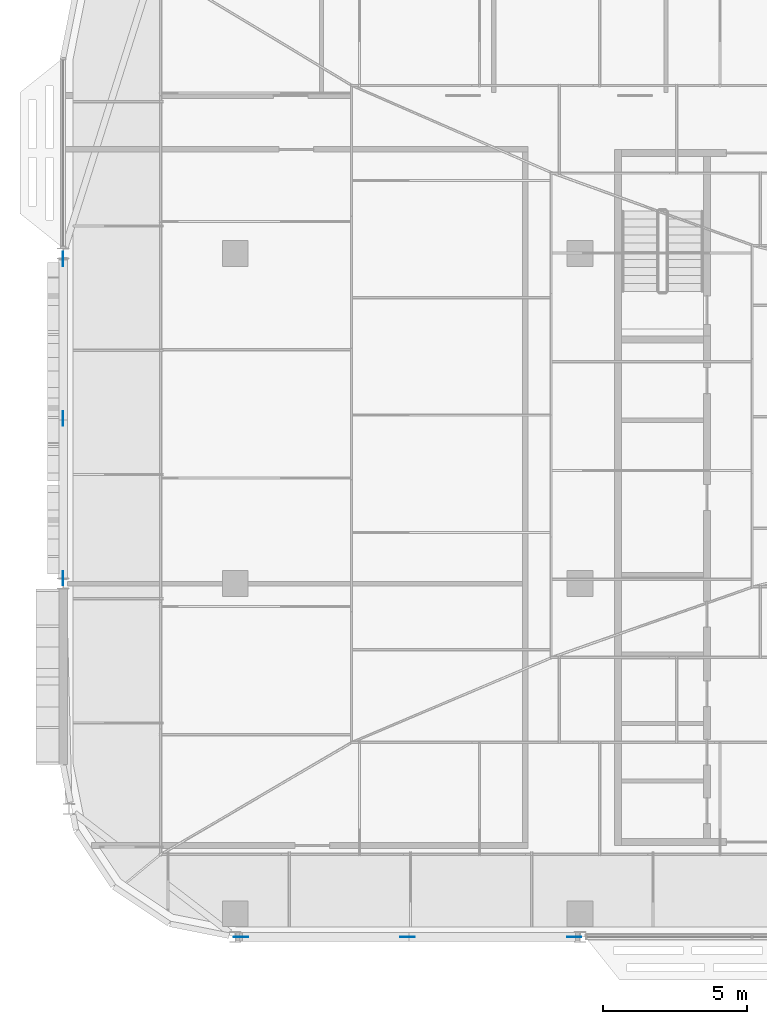
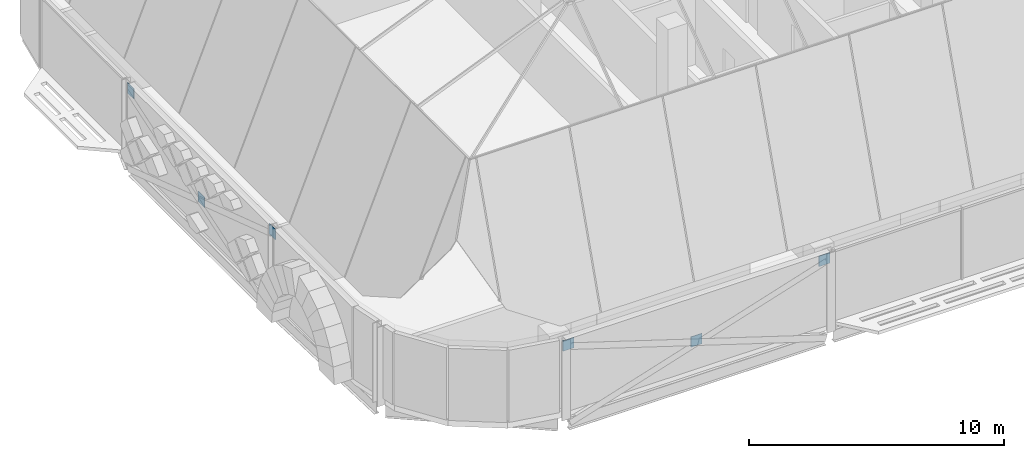
# One storey, part 30 of 39: 6 discrete accessories.
"""IFC4 building model written with IfcOpenShell, lengths in metres."""

from ifc_helpers import new_model, si_unit, direction, frame, origin, origin_2d, place, context, subcontext, project, spatial, rectangle, extrude, material, layer, layer_set, type_object, element, save


model = new_model("IFC4")

# Units and contexts
model_context = context("Model", 3, precision=1e-05, world=origin(), true_north=direction((0.0, 1.0)))
body_context = subcontext(model_context, "Body", "Model", "MODEL_VIEW")
ifc_project = project(units=[si_unit("LENGTHUNIT", "METRE"), si_unit("AREAUNIT", "SQUARE_METRE"), si_unit("VOLUMEUNIT", "CUBIC_METRE"), si_unit("PLANEANGLEUNIT", "RADIAN"), si_unit("MASSUNIT", "GRAM", prefix="KILO")], contexts=[model_context])

# Site, building, storey
site_placement = place(None, origin())
site = spatial("IfcSite", under=ifc_project, at=site_placement, CompositionType="ELEMENT")
building_placement = place(site_placement, origin())
building = spatial("IfcBuilding", under=site, at=building_placement, Name="Mahtab Terrace Research Tower", CompositionType="ELEMENT")
storey_placement = place(building_placement, frame((0.0, 0.0, 282.300048828125)))
storey = spatial("IfcBuildingStorey", under=building, at=storey_placement, Name="L69", CompositionType="ELEMENT", Elevation=282.300048828125)

# Discrete accessories
ifc_material = material(Name="Steel ASTM A992 Gr 50", Category="steel")
ifc_layer = layer(ifc_material, 0.030029296875)
ifc_layer_set = layer_set([ifc_layer], Name="Gusset plate 500x500x30")
discrete_accessory_type = type_object("IfcDiscreteAccessoryType", Name="Gusset plate 500x500x30", PredefinedType="USERDEFINED", material=ifc_layer_set)
for number, where, z_axis, x_axis, name in (
    (1, (-41.80322265625, -12.306884765625, 2.843994140625), (0.0, 0.0, 1.0), (1.0, 0.0, 0.0), "Gusset plate"),
    (2, (-36.0, -12.306884765625, 1.00634765625), (0.0, 0.0, 1.0), (1.0, 0.0, 0.0), "Gusset plate"),
    (3, (-30.197021484375, -12.306884765625, 2.843994140625), (0.0, 0.0, 1.0), (1.0, 0.0, 0.0), "Gusset plate"),
    (4, (-48.0, 0.18798828125, 2.84423828125), (0.0, 0.0, 1.0), (0.0, 1.0, 0.0), "Gusset plate"),
    (5, (-48.0, 5.75, 1.00634765625), (0.0, 0.0, 1.0), (0.0, 1.0, 0.0), "Gusset plate"),
    (6, (-48.0, 11.31201171875, 2.84423828125), (0.0, 0.0, 1.0), (0.0, 1.0, 0.0), "Gusset plate"),
):
    element("IfcDiscreteAccessory", number, at=place(storey_placement, frame(where, z_axis=z_axis, x_axis=x_axis)), inside=storey, type_object=discrete_accessory_type, Name=name, ObjectType="GUSSET PLATE", PredefinedType="USERDEFINED", context=body_context, shape_type="SweptSolid", body=[
        extrude(rectangle(XDim=0.5, YDim=0.030029296875, at=origin_2d()), origin(), (0.0, 0.0, 1.0), 0.5),
    ])

save(model, "model.ifc")
